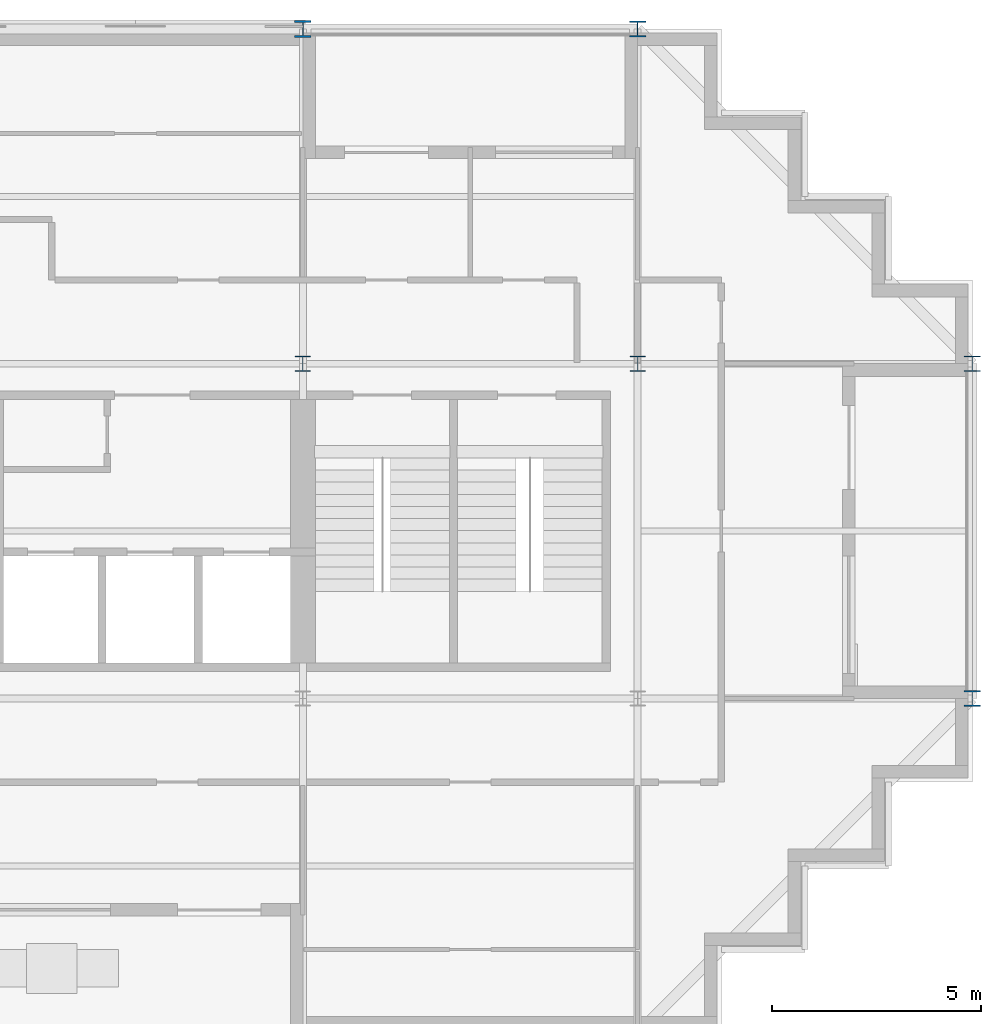
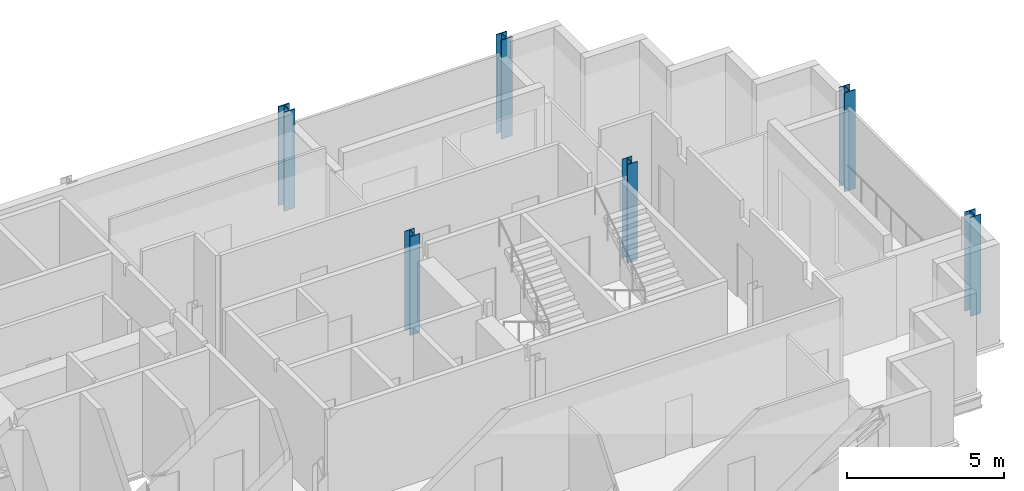
# One storey, part 2 of 10: 6 columns.
"""IFC4 building model written with IfcOpenShell, lengths in metres."""

from ifc_helpers import new_model, si_unit, direction, frame, origin, origin_2d, place, context, subcontext, project, spatial, i_section, extrude, material, material_profile, profile_set, type_object, element, save


model = new_model("IFC4")

# Units and contexts
model_context = context("Model", 3, precision=1e-05, world=origin(), true_north=direction((0.0, 1.0)))
body_context = subcontext(model_context, "Body", "Model", "MODEL_VIEW")
ifc_project = project(units=[si_unit("LENGTHUNIT", "METRE"), si_unit("AREAUNIT", "SQUARE_METRE"), si_unit("VOLUMEUNIT", "CUBIC_METRE"), si_unit("PLANEANGLEUNIT", "RADIAN"), si_unit("MASSUNIT", "GRAM", prefix="KILO")], contexts=[model_context])

# Site, building, storey
site_placement = place(None, origin())
site = spatial("IfcSite", under=ifc_project, at=site_placement, CompositionType="ELEMENT")
building_placement = place(site_placement, origin())
building = spatial("IfcBuilding", under=site, at=building_placement, Name="Immortelle Media Tower", CompositionType="ELEMENT")
storey_placement = place(building_placement, frame((0.0, 0.0, 263.0)))
storey = spatial("IfcBuildingStorey", under=building, at=storey_placement, Name="L57", CompositionType="ELEMENT", Elevation=263.0)

# Columns
ifc_material = material(Name="Steel ASTM A992 Gr 50", Category="steel")
ifc_material_profile_1 = material_profile(ifc_material, i_section(OverallWidth=0.39404296875, OverallDepth=0.3759765625, WebThickness=0.01708984375, FlangeThickness=0.028076171875, at=origin_2d()), Name="W14x145")
ifc_profile_set_1 = profile_set([ifc_material_profile_1], Name="Steel ASTM A992 Gr 50")
column_type_1 = type_object("IfcColumnType", Name="W14x145 column", PredefinedType="COLUMN", material=ifc_profile_set_1)
for number, where, z_axis, x_axis, name in (
    (1, (40.0, 24.0, 0.0), (0.0, 0.0, 1.0), (1.0, 0.0, 0.0), "Column 6/D"),
    (2, (48.0, 8.0, 0.0), (0.0, 0.0, 1.0), (1.0, 0.0, 0.0), "Column 7/B"),
    (3, (48.0, 16.0, 0.0), (0.0, 0.0, 1.0), (1.0, 0.0, 0.0), "Column 7/C"),
):
    element("IfcColumn", number, at=place(storey_placement, frame(where, z_axis=z_axis, x_axis=x_axis)), inside=storey, type_object=column_type_1, Name=name, PredefinedType="COLUMN", context=body_context, shape_type="SweptSolid", body=[
        extrude(i_section(OverallWidth=0.39404296875, OverallDepth=0.3759765625, WebThickness=0.01708984375, FlangeThickness=0.028076171875, at=origin_2d()), origin(), (0.0, 0.0, 1.0), 3.85009765625),
    ])
ifc_material_profile_2 = material_profile(ifc_material, i_section(OverallWidth=0.40087890625, OverallDepth=0.39892578125, WebThickness=0.02490234375, FlangeThickness=0.0400390625, at=origin_2d()), Name="W14x211")
ifc_profile_set_2 = profile_set([ifc_material_profile_2], Name="Steel ASTM A992 Gr 50")
column_type_2 = type_object("IfcColumnType", Name="W14x211 column", PredefinedType="COLUMN", material=ifc_profile_set_2)
column_placement = place(storey_placement, frame((32.0, 24.0, 0.0), z_axis=(0.0, 0.0, 1.0), x_axis=(1.0, 0.0, 0.0)))
element("IfcColumn", 4, at=column_placement, inside=storey, type_object=column_type_2, Name="Column 5/D", PredefinedType="COLUMN", context=body_context, shape_type="SweptSolid", body=[
    extrude(i_section(OverallWidth=0.40087890625, OverallDepth=0.39892578125, WebThickness=0.02490234375, FlangeThickness=0.0400390625, at=origin_2d()), origin(), (0.0, 0.0, 1.0), 3.85009765625),
])
ifc_material_profile_3 = material_profile(ifc_material, i_section(OverallWidth=0.37109375, OverallDepth=0.361083984375, WebThickness=0.011962890625, FlangeThickness=0.02001953125, at=origin_2d()), Name="W14x99")
ifc_profile_set_3 = profile_set([ifc_material_profile_3], Name="Steel ASTM A992 Gr 50")
column_type_3 = type_object("IfcColumnType", Name="W14x99 column", PredefinedType="COLUMN", material=ifc_profile_set_3)
for number, where, z_axis, x_axis, name in (
    (5, (32.0, 16.0, 0.0), (0.0, 0.0, 1.0), (1.0, 0.0, 0.0), "Column 5/C"),
    (6, (40.0, 16.0, 0.0), (0.0, 0.0, 1.0), (1.0, 0.0, 0.0), "Column 6/C"),
):
    element("IfcColumn", number, at=place(storey_placement, frame(where, z_axis=z_axis, x_axis=x_axis)), inside=storey, type_object=column_type_3, Name=name, PredefinedType="COLUMN", context=body_context, shape_type="SweptSolid", body=[
        extrude(i_section(OverallWidth=0.37109375, OverallDepth=0.361083984375, WebThickness=0.011962890625, FlangeThickness=0.02001953125, at=origin_2d()), origin(), (0.0, 0.0, 1.0), 3.85009765625),
    ])

save(model, "model.ifc")
